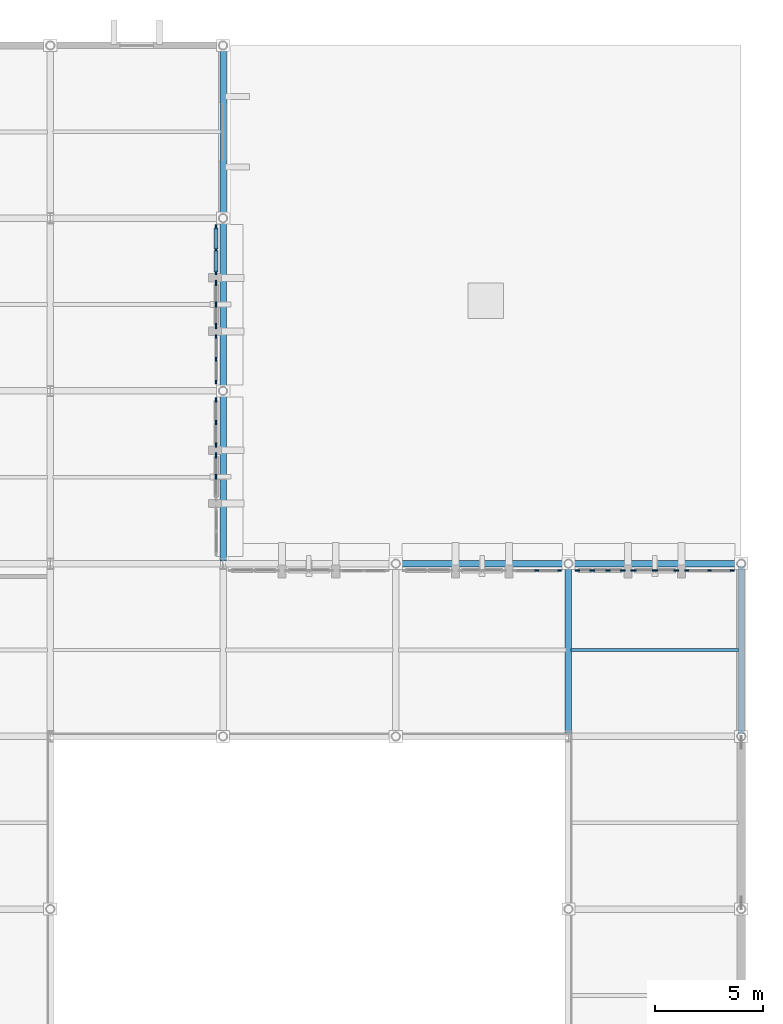
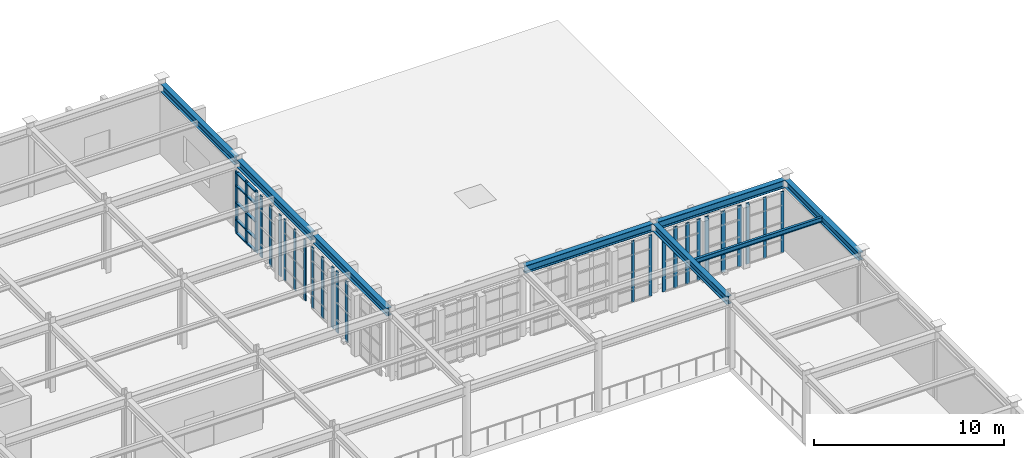
# One storey, part 45 of 155: 36 members, 8 beams, 9 elements without a shape of their own.
"""IFC4 building model written with IfcOpenShell, lengths in metres."""

from ifc_helpers import new_model, si_unit, direction, frame, origin, origin_2d, place, context, subcontext, project, spatial, rectangle, i_section, extrude, material, layer, layer_set, material_profile, profile_set, type_object, element, aggregate, save


model = new_model("IFC4")

# Units and contexts
model_context = context("Model", 3, precision=1e-05, world=origin(), true_north=direction((0.0, 1.0)))
body_context = subcontext(model_context, "Body", "Model", "MODEL_VIEW")
ifc_project = project(units=[si_unit("LENGTHUNIT", "METRE"), si_unit("AREAUNIT", "SQUARE_METRE"), si_unit("VOLUMEUNIT", "CUBIC_METRE"), si_unit("PLANEANGLEUNIT", "RADIAN"), si_unit("MASSUNIT", "GRAM", prefix="KILO")], contexts=[model_context])

# Site, building, storey
site_placement = place(None, origin())
site = spatial("IfcSite", under=ifc_project, at=site_placement, CompositionType="ELEMENT")
building_placement = place(site_placement, origin())
building = spatial("IfcBuilding", under=site, at=building_placement, Name="Tazarka Park Arena", CompositionType="ELEMENT")
storey_placement = place(building_placement, frame((0.0, 0.0, 5.39990234375)))
storey = spatial("IfcBuildingStorey", under=building, at=storey_placement, Name="L01", CompositionType="ELEMENT", Elevation=5.39990234375)

# Beams
ifc_material_1 = material(Name="Steel S355", Category="steel")
ifc_material_profile_1 = material_profile(ifc_material_1, i_section(OverallWidth=0.300048828125, OverallDepth=0.5, WebThickness=0.014404296875, FlangeThickness=0.028076171875, FilletRadius=0.027099609375, at=origin_2d()), Name="Steel S355")
ifc_profile_set_1 = profile_set([ifc_material_profile_1], Name="Steel S355")
beam_type_1 = type_object("IfcBeamType", Name="BM-B-08", PredefinedType="BEAM", material=ifc_profile_set_1)
for number, where, z_axis, x_axis, name in (
    (1, (160.0, 104.1201171875, 4.170166015625), (0.0, 1.0, 0.0), (-1.0, 0.0, 0.0), "GYM-L01-20-13"),
    (2, (176.0, 96.1201171875, 4.170166015625), (0.0, 1.0, 0.0), (-1.0, 0.0, 0.0), "GYM-L01-22-12"),
):
    element("IfcBeam", number, at=place(storey_placement, frame(where, z_axis=z_axis, x_axis=x_axis)), inside=storey, type_object=beam_type_1, Name=name, PredefinedType="BEAM", context=body_context, shape_type="SweptSolid", body=[
        extrude(i_section(OverallWidth=0.300048828125, OverallDepth=0.5, WebThickness=0.014404296875, FlangeThickness=0.028076171875, FilletRadius=0.027099609375, at=origin_2d()), origin(), (0.0, 0.0, 1.0), 7.759765625),
    ])
ifc_material_2 = material(Name="Steel S355", Category="steel")
ifc_material_profile_2 = material_profile(ifc_material_2, i_section(OverallWidth=0.14990234375, OverallDepth=0.300048828125, WebThickness=0.007080078125, FlangeThickness=0.0107421875, FilletRadius=0.014892578125, at=origin_2d()), Name="Steel S355")
ifc_profile_set_2 = profile_set([ifc_material_profile_2], Name="Steel S355")
beam_type_2 = type_object("IfcBeamType", Name="BM-J-01", PredefinedType="JOIST", material=ifc_profile_set_2)
beam_placement = place(storey_placement, frame((176.1201171875, 100.0, 4.27001953125), z_axis=(1.0, 0.0, 0.0), x_axis=(0.0, 1.0, 0.0)))
element("IfcBeam", 3, at=beam_placement, inside=storey, type_object=beam_type_2, Name="JST-L01-22-12", PredefinedType="JOIST", context=body_context, shape_type="SweptSolid", body=[
    extrude(i_section(OverallWidth=0.14990234375, OverallDepth=0.300048828125, WebThickness=0.007080078125, FlangeThickness=0.0107421875, FilletRadius=0.014892578125, at=origin_2d()), origin(), (0.0, 0.0, 1.0), 7.759765625),
])
ifc_material_3 = material(Name="Steel S355", Category="steel")
ifc_material_profile_3 = material_profile(ifc_material_3, i_section(OverallWidth=0.300048828125, OverallDepth=0.489990234375, WebThickness=0.011962890625, FlangeThickness=0.02294921875, FilletRadius=0.027099609375, at=origin_2d()), Name="Steel S355")
ifc_profile_set_3 = profile_set([ifc_material_profile_3], Name="Steel S355")
beam_type_3 = type_object("IfcBeamType", Name="BM-SP-02", PredefinedType="SPANDREL", material=ifc_profile_set_3)
for number, where, z_axis, x_axis, name in (
    (4, (160.0, 112.1201171875, 4.175048828125), (0.0, 1.0, 0.0), (-1.0, 0.0, 0.0), "GYM-L01-20-14"),
    (5, (160.0, 120.1201171875, 4.175048828125), (0.0, 1.0, 0.0), (-1.0, 0.0, 0.0), "GYM-L01-20-15"),
    (6, (168.1201171875, 104.0, 4.175048828125), (1.0, 0.0, 0.0), (0.0, 1.0, 0.0), "GXM-L01-21-13"),
    (7, (176.1201171875, 104.0, 4.175048828125), (1.0, 0.0, 0.0), (0.0, 1.0, 0.0), "GXM-L01-22-13"),
    (8, (184.0, 96.1201171875, 4.175048828125), (0.0, 1.0, 0.0), (-1.0, 0.0, 0.0), "GYM-L01-23-12"),
):
    element("IfcBeam", number, at=place(storey_placement, frame(where, z_axis=z_axis, x_axis=x_axis)), inside=storey, type_object=beam_type_3, Name=name, PredefinedType="SPANDREL", context=body_context, shape_type="SweptSolid", body=[
        extrude(i_section(OverallWidth=0.300048828125, OverallDepth=0.489990234375, WebThickness=0.011962890625, FlangeThickness=0.02294921875, FilletRadius=0.027099609375, at=origin_2d()), origin(), (0.0, 0.0, 1.0), 7.759765625),
    ])

# Curtain wall, members
ifc_material_4 = material(Name="Aluminium and low-e glass", Category="aluminium")
ifc_layer_1 = layer(ifc_material_4, 0.179931640625, Name="Aluminium and low-e glass")
ifc_layer_set_1 = layer_set([ifc_layer_1], Name="Aluminium and low-e glass")
curtain_wall_type_1 = type_object("IfcCurtainWallType", Name="CW-12", PredefinedType="NOTDEFINED", material=ifc_layer_set_1)
curtain_wall_1_placement = place(storey_placement, origin())
curtain_wall_1 = element("IfcCurtainWall", 9, at=curtain_wall_1_placement, inside=storey, type_object=curtain_wall_type_1, Name="Curtain Wall CWA-L01-192", PredefinedType="NOTDEFINED")
ifc_material_5 = material(Name="Aluminium 6060-T66", Category="aluminium")
ifc_material_profile_4 = material_profile(ifc_material_5, rectangle(XDim=0.06494140625, YDim=0.179931640625, at=origin_2d()), Name="Aluminium 6060-T66")
ifc_profile_set_4 = profile_set([ifc_material_profile_4], Name="Aluminium 6060-T66")
member_type_1 = type_object("IfcMemberType", Name="CWM-01", PredefinedType="MULLION", material=ifc_profile_set_4)
member_1_placement = place(storey_placement, frame((181.4814453125, 103.679931640625, 0.0), z_axis=(0.0, 0.0, 1.0), x_axis=(0.0, 1.0, 0.0)))
member_1 = element("IfcMember", 10, at=member_1_placement, type_object=member_type_1, Name="CW-12 mullion 1", PredefinedType="MULLION", context=body_context, shape_type="SweptSolid", body=[
    extrude(rectangle(XDim=0.06494140625, YDim=0.179931640625, at=origin_2d()), origin(), (0.0, 0.0, 1.0), 3.91015625),
])
member_2_placement = place(storey_placement, frame((182.532958984375, 103.679931640625, 0.0), z_axis=(0.0, 0.0, 1.0), x_axis=(0.0, 1.0, 0.0)))
member_2 = element("IfcMember", 11, at=member_2_placement, type_object=member_type_1, Name="CW-12 mullion 2", PredefinedType="MULLION", context=body_context, shape_type="SweptSolid", body=[
    extrude(rectangle(XDim=0.06494140625, YDim=0.179931640625, at=origin_2d()), origin(), (0.0, 0.0, 1.0), 3.91015625),
])
member_3_placement = place(storey_placement, frame((183.584228515625, 103.679931640625, 0.0), z_axis=(0.0, 0.0, 1.0), x_axis=(0.0, 1.0, 0.0)))
member_3 = element("IfcMember", 12, at=member_3_placement, type_object=member_type_1, Name="CW-12 mullion 3", PredefinedType="MULLION", context=body_context, shape_type="SweptSolid", body=[
    extrude(rectangle(XDim=0.06494140625, YDim=0.179931640625, at=origin_2d()), origin(), (0.0, 0.0, 1.0), 3.91015625),
])
aggregate(curtain_wall_1, [member_1, member_2, member_3])

ifc_material_6 = material(Name="Aluminium and low-e glass", Category="aluminium")
ifc_layer_2 = layer(ifc_material_6, 0.179931640625, Name="Aluminium and low-e glass")
ifc_layer_set_2 = layer_set([ifc_layer_2], Name="Aluminium and low-e glass")
curtain_wall_type_2 = type_object("IfcCurtainWallType", Name="CW-15", PredefinedType="NOTDEFINED", material=ifc_layer_set_2)
curtain_wall_2_placement = place(storey_placement, origin())
curtain_wall_2 = element("IfcCurtainWall", 13, at=curtain_wall_2_placement, inside=storey, type_object=curtain_wall_type_2, Name="Curtain Wall CWA-L01-195", PredefinedType="NOTDEFINED")
member_4_placement = place(storey_placement, frame((174.532958984375, 103.679931640625, 0.0), z_axis=(0.0, 0.0, 1.0), x_axis=(0.0, 1.0, 0.0)))
member_4 = element("IfcMember", 14, at=member_4_placement, type_object=member_type_1, Name="CW-15 mullion 2", PredefinedType="MULLION", context=body_context, shape_type="SweptSolid", body=[
    extrude(rectangle(XDim=0.06494140625, YDim=0.179931640625, at=origin_2d()), origin(), (0.0, 0.0, 1.0), 3.91015625),
])
member_5_placement = place(storey_placement, frame((175.584228515625, 103.679931640625, 0.0), z_axis=(0.0, 0.0, 1.0), x_axis=(0.0, 1.0, 0.0)))
member_5 = element("IfcMember", 15, at=member_5_placement, type_object=member_type_1, Name="CW-15 mullion 3", PredefinedType="MULLION", context=body_context, shape_type="SweptSolid", body=[
    extrude(rectangle(XDim=0.06494140625, YDim=0.179931640625, at=origin_2d()), origin(), (0.0, 0.0, 1.0), 3.91015625),
])
aggregate(curtain_wall_2, [member_4, member_5])

ifc_material_7 = material(Name="Aluminium and low-e glass", Category="aluminium")
ifc_layer_3 = layer(ifc_material_7, 0.179931640625, Name="Aluminium and low-e glass")
ifc_layer_set_3 = layer_set([ifc_layer_3], Name="Aluminium and low-e glass")
curtain_wall_type_3 = type_object("IfcCurtainWallType", Name="CW-24", PredefinedType="NOTDEFINED", material=ifc_layer_set_3)
curtain_wall_3_placement = place(storey_placement, origin())
curtain_wall_3 = element("IfcCurtainWall", 16, at=curtain_wall_3_placement, inside=storey, type_object=curtain_wall_type_3, Name="Curtain Wall CWA-L01-204", PredefinedType="NOTDEFINED")
member_6_placement = place(storey_placement, frame((159.679931640625, 114.5185546875, 0.0), z_axis=(0.0, 0.0, 1.0), x_axis=(1.0, 0.0, 0.0)))
member_6 = element("IfcMember", 17, at=member_6_placement, type_object=member_type_1, Name="CW-24 mullion 1", PredefinedType="MULLION", context=body_context, shape_type="SweptSolid", body=[
    extrude(rectangle(XDim=0.06494140625, YDim=0.179931640625, at=origin_2d()), origin(), (0.0, 0.0, 1.0), 3.91015625),
])
member_7_placement = place(storey_placement, frame((159.679931640625, 113.467041015625, 0.0), z_axis=(0.0, 0.0, 1.0), x_axis=(1.0, 0.0, 0.0)))
member_7 = element("IfcMember", 18, at=member_7_placement, type_object=member_type_1, Name="CW-24 mullion 2", PredefinedType="MULLION", context=body_context, shape_type="SweptSolid", body=[
    extrude(rectangle(XDim=0.06494140625, YDim=0.179931640625, at=origin_2d()), origin(), (0.0, 0.0, 1.0), 3.91015625),
])
member_8_placement = place(storey_placement, frame((159.679931640625, 112.415771484375, 0.0), z_axis=(0.0, 0.0, 1.0), x_axis=(1.0, 0.0, 0.0)))
member_8 = element("IfcMember", 19, at=member_8_placement, type_object=member_type_1, Name="CW-24 mullion 3", PredefinedType="MULLION", context=body_context, shape_type="SweptSolid", body=[
    extrude(rectangle(XDim=0.06494140625, YDim=0.179931640625, at=origin_2d()), origin(), (0.0, 0.0, 1.0), 3.91015625),
])
aggregate(curtain_wall_3, [member_6, member_7, member_8])

ifc_material_8 = material(Name="Aluminium and low-e glass", Category="aluminium")
ifc_layer_4 = layer(ifc_material_8, 0.179931640625, Name="Aluminium and low-e glass")
ifc_layer_set_4 = layer_set([ifc_layer_4], Name="Aluminium and low-e glass")
curtain_wall_type_4 = type_object("IfcCurtainWallType", Name="CW-10", PredefinedType="NOTDEFINED", material=ifc_layer_set_4)
curtain_wall_4_placement = place(storey_placement, origin())
curtain_wall_4 = element("IfcCurtainWall", 20, at=curtain_wall_4_placement, inside=storey, type_object=curtain_wall_type_4, Name="Curtain Wall CWA-L01-190", PredefinedType="NOTDEFINED")
ifc_material_9 = material(Name="Aluminium 6060-T66", Category="aluminium")
ifc_material_profile_5 = material_profile(ifc_material_9, rectangle(XDim=0.06494140625, YDim=0.219970703125, at=origin_2d()), Name="Aluminium 6060-T66")
ifc_profile_set_5 = profile_set([ifc_material_profile_5], Name="Aluminium 6060-T66")
member_type_2 = type_object("IfcMemberType", Name="CWM-02", PredefinedType="MULLION", material=ifc_profile_set_5)
member_9_placement = place(storey_placement, frame((176.415771484375, 103.679931640625, 0.0), z_axis=(0.0, 0.0, 1.0), x_axis=(0.0, 1.0, 0.0)))
member_9 = element("IfcMember", 21, at=member_9_placement, type_object=member_type_2, Name="CW-10 mullion 1", PredefinedType="MULLION", context=body_context, shape_type="SweptSolid", body=[
    extrude(rectangle(XDim=0.06494140625, YDim=0.219970703125, at=origin_2d()), origin(), (0.0, 0.0, 1.0), 3.91015625),
])
member_10_placement = place(storey_placement, frame((177.105712890625, 103.679931640625, 0.0), z_axis=(0.0, 0.0, 1.0), x_axis=(0.0, 1.0, 0.0)))
member_10 = element("IfcMember", 22, at=member_10_placement, type_object=member_type_2, Name="CW-10 mullion 2", PredefinedType="MULLION", context=body_context, shape_type="SweptSolid", body=[
    extrude(rectangle(XDim=0.06494140625, YDim=0.219970703125, at=origin_2d()), origin(), (0.0, 0.0, 1.0), 3.91015625),
])
member_11_placement = place(storey_placement, frame((177.828369140625, 103.679931640625, 0.0), z_axis=(0.0, 0.0, 1.0), x_axis=(0.0, 1.0, 0.0)))
member_11 = element("IfcMember", 23, at=member_11_placement, type_object=member_type_2, Name="CW-10 mullion 3", PredefinedType="MULLION", context=body_context, shape_type="SweptSolid", body=[
    extrude(rectangle(XDim=0.06494140625, YDim=0.219970703125, at=origin_2d()), origin(), (0.0, 0.0, 1.0), 3.91015625),
])
member_12_placement = place(storey_placement, frame((178.5185546875, 103.679931640625, 0.0), z_axis=(0.0, 0.0, 1.0), x_axis=(0.0, 1.0, 0.0)))
member_12 = element("IfcMember", 24, at=member_12_placement, type_object=member_type_2, Name="CW-10 mullion 4", PredefinedType="MULLION", context=body_context, shape_type="SweptSolid", body=[
    extrude(rectangle(XDim=0.06494140625, YDim=0.219970703125, at=origin_2d()), origin(), (0.0, 0.0, 1.0), 3.91015625),
])
aggregate(curtain_wall_4, [member_9, member_10, member_11, member_12])

ifc_material_10 = material(Name="Aluminium and low-e glass", Category="aluminium")
ifc_layer_5 = layer(ifc_material_10, 0.179931640625, Name="Aluminium and low-e glass")
ifc_layer_set_5 = layer_set([ifc_layer_5], Name="Aluminium and low-e glass")
curtain_wall_type_5 = type_object("IfcCurtainWallType", Name="CW-19", PredefinedType="NOTDEFINED", material=ifc_layer_set_5)
curtain_wall_5_placement = place(storey_placement, origin())
curtain_wall_5 = element("IfcCurtainWall", 25, at=curtain_wall_5_placement, inside=storey, type_object=curtain_wall_type_5, Name="Curtain Wall CWA-L01-199", PredefinedType="NOTDEFINED")
member_13_placement = place(storey_placement, frame((159.679931640625, 111.584228515625, 0.0), z_axis=(0.0, 0.0, 1.0), x_axis=(1.0, 0.0, 0.0)))
member_13 = element("IfcMember", 26, at=member_13_placement, type_object=member_type_2, Name="CW-19 mullion 1", PredefinedType="MULLION", context=body_context, shape_type="SweptSolid", body=[
    extrude(rectangle(XDim=0.06494140625, YDim=0.219970703125, at=origin_2d()), origin(), (0.0, 0.0, 1.0), 3.900146484375),
])
member_14_placement = place(storey_placement, frame((159.679931640625, 110.540771484375, 0.0), z_axis=(0.0, 0.0, 1.0), x_axis=(1.0, 0.0, 0.0)))
member_14 = element("IfcMember", 27, at=member_14_placement, type_object=member_type_2, Name="CW-19 mullion 2", PredefinedType="MULLION", context=body_context, shape_type="SweptSolid", body=[
    extrude(rectangle(XDim=0.06494140625, YDim=0.219970703125, at=origin_2d()), origin(), (0.0, 0.0, 1.0), 3.900146484375),
])
member_15_placement = place(storey_placement, frame((159.679931640625, 109.4970703125, 0.0), z_axis=(0.0, 0.0, 1.0), x_axis=(1.0, 0.0, 0.0)))
member_15 = element("IfcMember", 28, at=member_15_placement, type_object=member_type_2, Name="CW-19 mullion 3", PredefinedType="MULLION", context=body_context, shape_type="SweptSolid", body=[
    extrude(rectangle(XDim=0.06494140625, YDim=0.219970703125, at=origin_2d()), origin(), (0.0, 0.0, 1.0), 3.900146484375),
])
aggregate(curtain_wall_5, [member_13, member_14, member_15])

ifc_material_11 = material(Name="Aluminium and low-e glass", Category="aluminium")
ifc_layer_6 = layer(ifc_material_11, 0.179931640625, Name="Aluminium and low-e glass")
ifc_layer_set_6 = layer_set([ifc_layer_6], Name="Aluminium and low-e glass")
curtain_wall_type_6 = type_object("IfcCurtainWallType", Name="CW-22", PredefinedType="NOTDEFINED", material=ifc_layer_set_6)
curtain_wall_6_placement = place(storey_placement, origin())
curtain_wall_6 = element("IfcCurtainWall", 29, at=curtain_wall_6_placement, inside=storey, type_object=curtain_wall_type_6, Name="Curtain Wall CWA-L01-202", PredefinedType="NOTDEFINED")
member_16_placement = place(storey_placement, frame((159.679931640625, 119.584228515625, 0.0), z_axis=(0.0, 0.0, 1.0), x_axis=(1.0, 0.0, 0.0)))
member_16 = element("IfcMember", 30, at=member_16_placement, type_object=member_type_2, Name="CW-22 mullion 1", PredefinedType="MULLION", context=body_context, shape_type="SweptSolid", body=[
    extrude(rectangle(XDim=0.06494140625, YDim=0.219970703125, at=origin_2d()), origin(), (0.0, 0.0, 1.0), 3.91015625),
])
member_17_placement = place(storey_placement, frame((159.679931640625, 118.532958984375, 0.0), z_axis=(0.0, 0.0, 1.0), x_axis=(1.0, 0.0, 0.0)))
member_17 = element("IfcMember", 31, at=member_17_placement, type_object=member_type_2, Name="CW-22 mullion 2", PredefinedType="MULLION", context=body_context, shape_type="SweptSolid", body=[
    extrude(rectangle(XDim=0.06494140625, YDim=0.219970703125, at=origin_2d()), origin(), (0.0, 0.0, 1.0), 3.91015625),
])
member_18_placement = place(storey_placement, frame((159.679931640625, 117.4814453125, 0.0), z_axis=(0.0, 0.0, 1.0), x_axis=(1.0, 0.0, 0.0)))
member_18 = element("IfcMember", 32, at=member_18_placement, type_object=member_type_2, Name="CW-22 mullion 3", PredefinedType="MULLION", context=body_context, shape_type="SweptSolid", body=[
    extrude(rectangle(XDim=0.06494140625, YDim=0.219970703125, at=origin_2d()), origin(), (0.0, 0.0, 1.0), 3.91015625),
])

ifc_material_12 = material(Name="Aluminium and low-e glass", Category="aluminium")
ifc_layer_7 = layer(ifc_material_12, 0.179931640625, Name="Aluminium and low-e glass")
ifc_layer_set_7 = layer_set([ifc_layer_7], Name="Aluminium and low-e glass")
curtain_wall_type_7 = type_object("IfcCurtainWallType", Name="CW-11", PredefinedType="NOTDEFINED", material=ifc_layer_set_7)
curtain_wall_7_placement = place(storey_placement, origin())
curtain_wall_7 = element("IfcCurtainWall", 33, at=curtain_wall_7_placement, inside=storey, type_object=curtain_wall_type_7, Name="Curtain Wall CWA-L01-191", PredefinedType="NOTDEFINED")
ifc_material_13 = material(Name="Aluminium 6060-T66", Category="aluminium")
ifc_material_profile_6 = material_profile(ifc_material_13, rectangle(XDim=0.074951171875, YDim=0.25, at=origin_2d()), Name="Aluminium 6060-T66")
ifc_profile_set_6 = profile_set([ifc_material_profile_6], Name="Aluminium 6060-T66")
member_type_3 = type_object("IfcMemberType", Name="CWM-03", PredefinedType="MULLION", material=ifc_profile_set_6)
member_19_placement = place(storey_placement, frame((179.008544921875, 103.679931640625, 0.0), z_axis=(0.0, 0.0, 1.0), x_axis=(0.0, 1.0, 0.0)))
member_19 = element("IfcMember", 34, at=member_19_placement, type_object=member_type_3, Name="CW-11 mullion 1", PredefinedType="MULLION", context=body_context, shape_type="SweptSolid", body=[
    extrude(rectangle(XDim=0.074951171875, YDim=0.25, at=origin_2d()), origin(), (0.0, 0.0, 1.0), 3.91015625),
])
member_20_placement = place(storey_placement, frame((180.0, 103.679931640625, 0.0), z_axis=(0.0, 0.0, 1.0), x_axis=(0.0, 1.0, 0.0)))
member_20 = element("IfcMember", 35, at=member_20_placement, type_object=member_type_3, Name="CW-11 mullion 2", PredefinedType="MULLION", context=body_context, shape_type="SweptSolid", body=[
    extrude(rectangle(XDim=0.074951171875, YDim=0.25, at=origin_2d()), origin(), (0.0, 0.0, 1.0), 3.91015625),
])
member_21_placement = place(storey_placement, frame((180.991455078125, 103.679931640625, 0.0), z_axis=(0.0, 0.0, 1.0), x_axis=(0.0, 1.0, 0.0)))
member_21 = element("IfcMember", 36, at=member_21_placement, type_object=member_type_3, Name="CW-11 mullion 3", PredefinedType="MULLION", context=body_context, shape_type="SweptSolid", body=[
    extrude(rectangle(XDim=0.074951171875, YDim=0.25, at=origin_2d()), origin(), (0.0, 0.0, 1.0), 3.91015625),
])
aggregate(curtain_wall_7, [member_19, member_20, member_21])

ifc_material_14 = material(Name="Aluminium and low-e glass", Category="aluminium")
ifc_layer_8 = layer(ifc_material_14, 0.179931640625, Name="Aluminium and low-e glass")
ifc_layer_set_8 = layer_set([ifc_layer_8], Name="Aluminium and low-e glass")
curtain_wall_type_8 = type_object("IfcCurtainWallType", Name="CW-20", PredefinedType="NOTDEFINED", material=ifc_layer_set_8)
curtain_wall_8_placement = place(storey_placement, origin())
curtain_wall_8 = element("IfcCurtainWall", 37, at=curtain_wall_8_placement, inside=storey, type_object=curtain_wall_type_8, Name="Curtain Wall CWA-L01-200", PredefinedType="NOTDEFINED")
member_22_placement = place(storey_placement, frame((159.679931640625, 109.007080078125, 0.0), z_axis=(0.0, 0.0, 1.0), x_axis=(1.0, 0.0, 0.0)))
member_22 = element("IfcMember", 38, at=member_22_placement, type_object=member_type_3, Name="CW-20 mullion 1", PredefinedType="MULLION", context=body_context, shape_type="SweptSolid", body=[
    extrude(rectangle(XDim=0.074951171875, YDim=0.25, at=origin_2d()), origin(), (0.0, 0.0, 1.0), 3.900146484375),
])
member_23_placement = place(storey_placement, frame((159.679931640625, 108.0234375, 0.0), z_axis=(0.0, 0.0, 1.0), x_axis=(1.0, 0.0, 0.0)))
member_23 = element("IfcMember", 39, at=member_23_placement, type_object=member_type_3, Name="CW-20 mullion 2", PredefinedType="MULLION", context=body_context, shape_type="SweptSolid", body=[
    extrude(rectangle(XDim=0.074951171875, YDim=0.25, at=origin_2d()), origin(), (0.0, 0.0, 1.0), 3.900146484375),
])
aggregate(curtain_wall_8, [member_22, member_23])

ifc_material_15 = material(Name="Aluminium and low-e glass", Category="aluminium")
ifc_layer_9 = layer(ifc_material_15, 0.179931640625, Name="Aluminium and low-e glass")
ifc_layer_set_9 = layer_set([ifc_layer_9], Name="Aluminium and low-e glass")
curtain_wall_type_9 = type_object("IfcCurtainWallType", Name="CW-23", PredefinedType="NOTDEFINED", material=ifc_layer_set_9)
curtain_wall_9_placement = place(storey_placement, origin())
curtain_wall_9 = element("IfcCurtainWall", 40, at=curtain_wall_9_placement, inside=storey, type_object=curtain_wall_type_9, Name="Curtain Wall CWA-L01-203", PredefinedType="NOTDEFINED")
member_24_placement = place(storey_placement, frame((159.679931640625, 116.991455078125, 0.0), z_axis=(0.0, 0.0, 1.0), x_axis=(1.0, 0.0, 0.0)))
member_24 = element("IfcMember", 41, at=member_24_placement, type_object=member_type_3, Name="CW-23 mullion 1", PredefinedType="MULLION", context=body_context, shape_type="SweptSolid", body=[
    extrude(rectangle(XDim=0.074951171875, YDim=0.25, at=origin_2d()), origin(), (0.0, 0.0, 1.0), 3.91015625),
])
member_25_placement = place(storey_placement, frame((159.679931640625, 116.0, 0.0), z_axis=(0.0, 0.0, 1.0), x_axis=(1.0, 0.0, 0.0)))
member_25 = element("IfcMember", 42, at=member_25_placement, type_object=member_type_3, Name="CW-23 mullion 2", PredefinedType="MULLION", context=body_context, shape_type="SweptSolid", body=[
    extrude(rectangle(XDim=0.074951171875, YDim=0.25, at=origin_2d()), origin(), (0.0, 0.0, 1.0), 3.91015625),
])
member_26_placement = place(storey_placement, frame((159.679931640625, 115.008544921875, 0.0), z_axis=(0.0, 0.0, 1.0), x_axis=(1.0, 0.0, 0.0)))
member_26 = element("IfcMember", 43, at=member_26_placement, type_object=member_type_3, Name="CW-23 mullion 3", PredefinedType="MULLION", context=body_context, shape_type="SweptSolid", body=[
    extrude(rectangle(XDim=0.074951171875, YDim=0.25, at=origin_2d()), origin(), (0.0, 0.0, 1.0), 3.91015625),
])
aggregate(curtain_wall_9, [member_24, member_25, member_26])

# Member
ifc_material_16 = material(Name="Aluminium 6060-T66", Category="aluminium")
ifc_material_profile_7 = material_profile(ifc_material_16, rectangle(XDim=0.179931640625, YDim=0.06494140625, at=origin_2d()), Name="Aluminium 6060-T66")
ifc_profile_set_7 = profile_set([ifc_material_profile_7], Name="Aluminium 6060-T66")
member_type_4 = type_object("IfcMemberType", Name="CWT-02", PredefinedType="USERDEFINED", material=ifc_profile_set_7)
member_27_placement = place(storey_placement, frame((159.679931640625, 119.5517578125, 0.03271484375), z_axis=(0.0, -1.0, 0.0), x_axis=(1.0, 0.0, 0.0)))
member_27 = element("IfcMember", 44, at=member_27_placement, type_object=member_type_4, Name="CW-22 transom 1.1", ObjectType="TRANSOM", PredefinedType="USERDEFINED", context=body_context, shape_type="SweptSolid", body=[
    extrude(rectangle(XDim=0.179931640625, YDim=0.06494140625, at=origin_2d()), origin(), (0.0, 0.0, 1.0), 0.986328125),
])

member_28_placement = place(storey_placement, frame((159.679931640625, 119.5517578125, 0.85009765625), z_axis=(0.0, -1.0, 0.0), x_axis=(1.0, 0.0, 0.0)))
member_28 = element("IfcMember", 45, at=member_28_placement, type_object=member_type_4, Name="CW-22 transom 1.2", ObjectType="TRANSOM", PredefinedType="USERDEFINED", context=body_context, shape_type="SweptSolid", body=[
    extrude(rectangle(XDim=0.179931640625, YDim=0.06494140625, at=origin_2d()), origin(), (0.0, 0.0, 1.0), 0.986328125),
])

member_29_placement = place(storey_placement, frame((159.679931640625, 119.5517578125, 1.9501953125), z_axis=(0.0, -1.0, 0.0), x_axis=(1.0, 0.0, 0.0)))
member_29 = element("IfcMember", 46, at=member_29_placement, type_object=member_type_4, Name="CW-22 transom 1.3", ObjectType="TRANSOM", PredefinedType="USERDEFINED", context=body_context, shape_type="SweptSolid", body=[
    extrude(rectangle(XDim=0.179931640625, YDim=0.06494140625, at=origin_2d()), origin(), (0.0, 0.0, 1.0), 0.986328125),
])

member_30_placement = place(storey_placement, frame((159.679931640625, 119.5517578125, 3.050048828125), z_axis=(0.0, -1.0, 0.0), x_axis=(1.0, 0.0, 0.0)))
member_30 = element("IfcMember", 47, at=member_30_placement, type_object=member_type_4, Name="CW-22 transom 1.4", ObjectType="TRANSOM", PredefinedType="USERDEFINED", context=body_context, shape_type="SweptSolid", body=[
    extrude(rectangle(XDim=0.179931640625, YDim=0.06494140625, at=origin_2d()), origin(), (0.0, 0.0, 1.0), 0.986328125),
])

member_31_placement = place(storey_placement, frame((159.679931640625, 119.5517578125, 3.877685546875), z_axis=(0.0, -1.0, 0.0), x_axis=(1.0, 0.0, 0.0)))
member_31 = element("IfcMember", 48, at=member_31_placement, type_object=member_type_4, Name="CW-22 transom 1.5", ObjectType="TRANSOM", PredefinedType="USERDEFINED", context=body_context, shape_type="SweptSolid", body=[
    extrude(rectangle(XDim=0.179931640625, YDim=0.06494140625, at=origin_2d()), origin(), (0.0, 0.0, 1.0), 0.986328125),
])

member_32_placement = place(storey_placement, frame((159.679931640625, 118.500244140625, 0.03271484375), z_axis=(0.0, -1.0, 0.0), x_axis=(1.0, 0.0, 0.0)))
member_32 = element("IfcMember", 49, at=member_32_placement, type_object=member_type_4, Name="CW-22 transom 2.1", ObjectType="TRANSOM", PredefinedType="USERDEFINED", context=body_context, shape_type="SweptSolid", body=[
    extrude(rectangle(XDim=0.179931640625, YDim=0.06494140625, at=origin_2d()), origin(), (0.0, 0.0, 1.0), 0.986328125),
])

member_33_placement = place(storey_placement, frame((159.679931640625, 118.500244140625, 0.85009765625), z_axis=(0.0, -1.0, 0.0), x_axis=(1.0, 0.0, 0.0)))
member_33 = element("IfcMember", 50, at=member_33_placement, type_object=member_type_4, Name="CW-22 transom 2.2", ObjectType="TRANSOM", PredefinedType="USERDEFINED", context=body_context, shape_type="SweptSolid", body=[
    extrude(rectangle(XDim=0.179931640625, YDim=0.06494140625, at=origin_2d()), origin(), (0.0, 0.0, 1.0), 0.986328125),
])

member_34_placement = place(storey_placement, frame((159.679931640625, 118.500244140625, 1.9501953125), z_axis=(0.0, -1.0, 0.0), x_axis=(1.0, 0.0, 0.0)))
member_34 = element("IfcMember", 51, at=member_34_placement, type_object=member_type_4, Name="CW-22 transom 2.3", ObjectType="TRANSOM", PredefinedType="USERDEFINED", context=body_context, shape_type="SweptSolid", body=[
    extrude(rectangle(XDim=0.179931640625, YDim=0.06494140625, at=origin_2d()), origin(), (0.0, 0.0, 1.0), 0.986328125),
])

member_35_placement = place(storey_placement, frame((159.679931640625, 118.500244140625, 3.050048828125), z_axis=(0.0, -1.0, 0.0), x_axis=(1.0, 0.0, 0.0)))
member_35 = element("IfcMember", 52, at=member_35_placement, type_object=member_type_4, Name="CW-22 transom 2.4", ObjectType="TRANSOM", PredefinedType="USERDEFINED", context=body_context, shape_type="SweptSolid", body=[
    extrude(rectangle(XDim=0.179931640625, YDim=0.06494140625, at=origin_2d()), origin(), (0.0, 0.0, 1.0), 0.986328125),
])

member_36_placement = place(storey_placement, frame((159.679931640625, 118.500244140625, 3.877685546875), z_axis=(0.0, -1.0, 0.0), x_axis=(1.0, 0.0, 0.0)))
member_36 = element("IfcMember", 53, at=member_36_placement, type_object=member_type_4, Name="CW-22 transom 2.5", ObjectType="TRANSOM", PredefinedType="USERDEFINED", context=body_context, shape_type="SweptSolid", body=[
    extrude(rectangle(XDim=0.179931640625, YDim=0.06494140625, at=origin_2d()), origin(), (0.0, 0.0, 1.0), 0.986328125),
])

aggregate(curtain_wall_6, [member_16, member_17, member_18, member_27, member_28, member_29, member_30, member_31, member_32, member_33, member_34, member_35, member_36])

save(model, "model.ifc")
